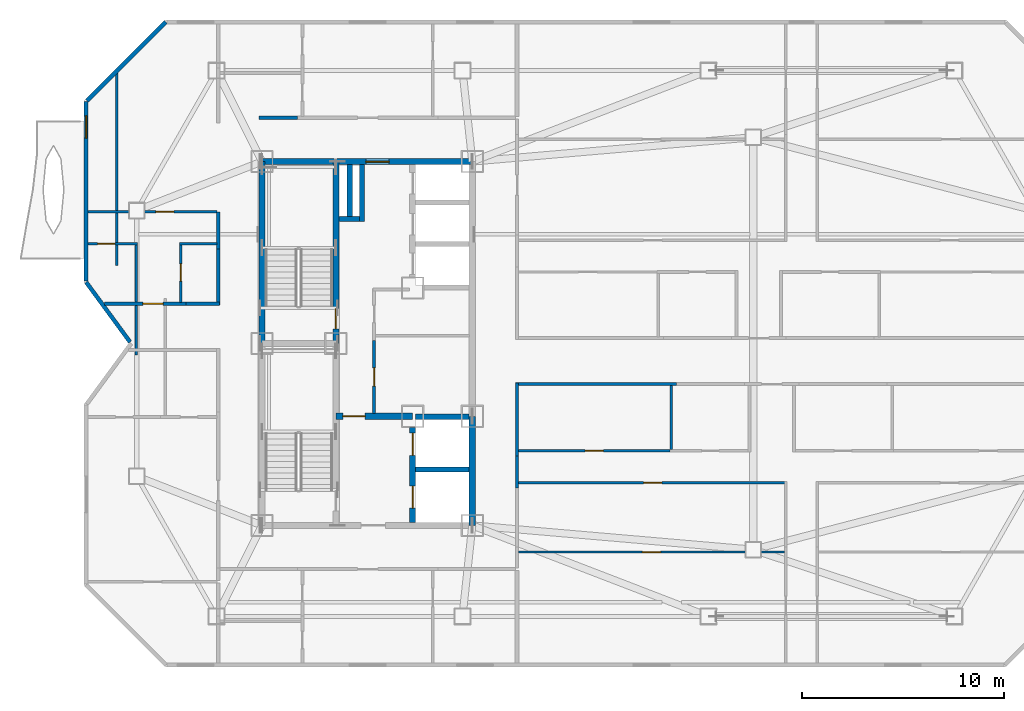
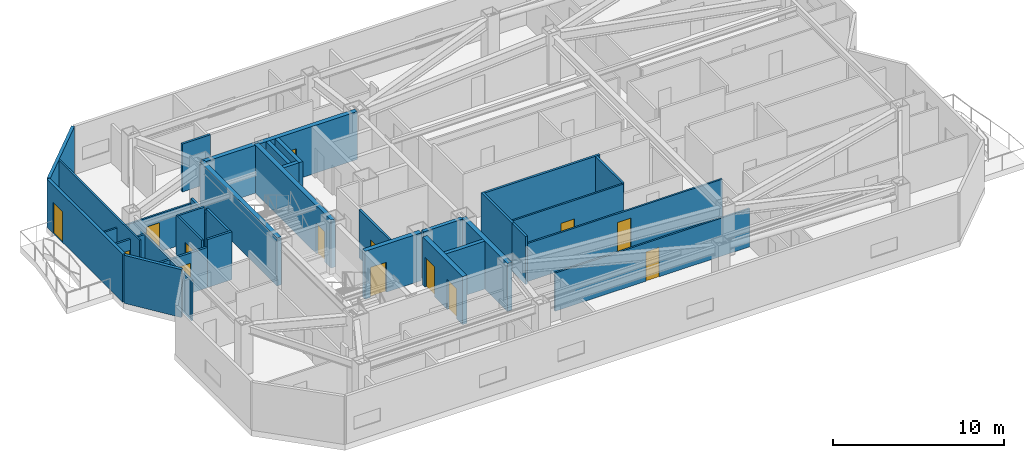
# One storey, part 5 of 10: 33 walls, 14 doors, 14 openings.
"""IFC4 building model written with IfcOpenShell, lengths in metres."""

import ifcopenshell
import ifcopenshell.guid

model = None  # the IFC model being written
_history = None  # IfcOwnerHistory: only IFC2X3 demands one
_inside = {}  # id of a spatial element -> (the spatial element, [elements in it])
_under = {}  # id of a project, library or spatial element -> (it, [spatial elements below it])
_declared = {}  # id of a project -> (the project, [libraries it declares])
_typed = {}  # id of a type object -> (the type object, [elements of that type])
_made_of = {}  # id of a material, layer set ... -> (it, [elements and type objects made of it])


def new_model(schema):
    """Start an empty IFC model of exactly this schema.

    Asked for "IFC4X3", IfcOpenShell would pick the latest addendum, in which some entities
    have other attributes; the version numbers below select the first issue.
    IFC2X3 requires an IfcOwnerHistory on every rooted entity: one is made here for all.
    """
    global model, _history
    if schema == "IFC4X3":
        model = ifcopenshell.file(schema_version=(4, 3, 0, 0))
    else:
        model = ifcopenshell.file(schema=schema)
    _inside.clear()
    _under.clear()
    _declared.clear()
    _typed.clear()
    _made_of.clear()
    _history = None
    if model.schema == "IFC2X3":
        org = make("IfcOrganization", Name="unknown")
        user = make(
            "IfcPersonAndOrganization",
            ThePerson=make("IfcPerson", FamilyName="unknown"),
            TheOrganization=org,
        )
        app = make(
            "IfcApplication",
            ApplicationDeveloper=org,
            Version="unknown",
            ApplicationFullName="unknown",
            ApplicationIdentifier="unknown",
        )
        _history = make(
            "IfcOwnerHistory",
            OwningUser=user,
            OwningApplication=app,
            ChangeAction="ADDED",
            CreationDate=0,
        )
    return model


def make(cls, **values):
    """One entity of the class cls with the attributes given. An attribute that is None is left unset."""
    return model.create_entity(
        cls, **{name: value for name, value in values.items() if value is not None}
    )


def rooted(cls, **values):
    """An entity with a GlobalId (a new one), such as an element, a storey or a relation."""
    return make(cls, GlobalId=ifcopenshell.guid.new(), OwnerHistory=_history, **values)


def si_unit(unit_type, name, prefix=None):
    """IfcSIUnit, for example si_unit("LENGTHUNIT", "METRE", prefix="MILLI")."""
    return make("IfcSIUnit", UnitType=unit_type, Prefix=prefix, Name=name)


def assignment(units):
    """IfcUnitAssignment: the units of a project."""
    return None if units is None else make("IfcUnitAssignment", Units=units)


def point(xyz):
    """IfcCartesianPoint."""
    return None if xyz is None else make("IfcCartesianPoint", Coordinates=xyz)


def direction(xyz):
    """IfcDirection."""
    return None if xyz is None else make("IfcDirection", DirectionRatios=xyz)


def frame(location, z_axis=None, x_axis=None):
    """IfcAxis2Placement3D, a coordinate frame: its origin and axes. An axis left out is left unset."""
    return make(
        "IfcAxis2Placement3D",
        Location=point(location),
        Axis=direction(z_axis),
        RefDirection=direction(x_axis),
    )


def frame_2d(location, x_axis=None):
    """IfcAxis2Placement2D, a coordinate frame in the plane: its origin and x axis."""
    return make(
        "IfcAxis2Placement2D", Location=point(location), RefDirection=direction(x_axis)
    )


def origin():
    """The frame at (0, 0, 0) with its axes left unset."""
    return frame((0.0, 0.0, 0.0))


def place(relative_to, where):
    """IfcLocalPlacement: puts the frame where relative to a parent placement (None: the world)."""
    return make(
        "IfcLocalPlacement", PlacementRelTo=relative_to, RelativePlacement=where
    )


def context(
    kind, dimensions, precision=None, world=None, true_north=None, identifier=None
):
    """IfcGeometricRepresentationContext, for example the 3D "Model" context."""
    return make(
        "IfcGeometricRepresentationContext",
        ContextIdentifier=identifier,
        ContextType=kind,
        CoordinateSpaceDimension=dimensions,
        Precision=precision,
        WorldCoordinateSystem=world,
        TrueNorth=true_north,
    )


def subcontext(parent, identifier, kind, view, scale=None):
    """IfcGeometricRepresentationSubContext, for example "Body" below "Model"."""
    return make(
        "IfcGeometricRepresentationSubContext",
        ContextIdentifier=identifier,
        ContextType=kind,
        ParentContext=parent,
        TargetScale=scale,
        TargetView=view,
    )


def project(units=None, contexts=None):
    """IfcProject with its units and contexts."""
    return rooted(
        "IfcProject",
        Name="project",
        RepresentationContexts=contexts,
        UnitsInContext=assignment(units),
    )


def spatial(cls, under=None, at=None, **own):
    """A site, building, storey or space (cls), placed at a placement, below another one or the project."""
    s = rooted(cls, ObjectPlacement=at, **own)
    if under is not None:
        _under.setdefault(under.id(), (under, []))[1].append(s)
    return s


def profile(cls, at=None, kind="AREA", **sizes):
    """A parametric profile (cls). Its sizes go by their IFC names, for example OverallWidth=200.0."""
    return make(cls, ProfileType=kind, Position=at, **sizes)


def rectangle(**sizes):
    """IfcRectangleProfileDef."""
    return profile("IfcRectangleProfileDef", **sizes)


def extrude(swept, where, along, depth):
    """IfcExtrudedAreaSolid: the profile swept, set in the frame where, extruded along a direction by depth."""
    return make(
        "IfcExtrudedAreaSolid",
        SweptArea=swept,
        Position=where,
        ExtrudedDirection=direction(along),
        Depth=depth,
    )


def shape(context_of_items, identifier, shape_type, items):
    """IfcShapeRepresentation: the items that make up one representation, for example the "Body"."""
    return make(
        "IfcShapeRepresentation",
        ContextOfItems=context_of_items,
        RepresentationIdentifier=identifier,
        RepresentationType=shape_type,
        Items=items,
    )


def material(Name=None, Category=None):
    """IfcMaterial."""
    return make("IfcMaterial", Name=Name, Category=Category)


def layer(
    of_material, thickness, ventilated=None, Name=None, Category=None, Priority=None
):
    """IfcMaterialLayer: one layer of a wall or slab, of a material (None: an air gap)."""
    return make(
        "IfcMaterialLayer",
        Material=of_material,
        LayerThickness=thickness,
        IsVentilated=ventilated,
        Name=Name,
        Category=Category,
        Priority=Priority,
    )


def layer_set(layers, Name=None):
    """IfcMaterialLayerSet."""
    return make("IfcMaterialLayerSet", MaterialLayers=layers, LayerSetName=Name)


def made_of(thing, what):
    """Note that an element or type object is made of a material, layer set ...; save() writes the relation."""
    if what is not None:
        _made_of.setdefault(what.id(), (what, []))[1].append(thing)
    return thing


def type_object(cls, material=None, **own):
    """A type object (cls), such as IfcWallType, which elements share."""
    return made_of(rooted(cls, **own), material)


def element(
    cls,
    number,
    at=None,
    inside=None,
    cuts=None,
    type_object=None,
    material=None,
    context=None,
    identifier="Body",
    shape_type=None,
    held_by="IfcProductDefinitionShape",
    body=None,
    shapes=None,
    **own,
):
    """One element of the class cls, such as IfcWall. Its Tag is "e" and its number.

    at: its placement. inside: the storey or other place that contains it. cuts: it is an
    opening in that element (IfcRelVoidsElement). A single representation is given by context,
    identifier, shape_type and body (its items); several are given by shapes. held_by: the class
    of the entity that holds the representations. save() writes the other relations.
    """
    e = rooted(cls, Tag="e%d" % number, ObjectPlacement=at, **own)
    if body is not None:
        shapes = [shape(context, identifier, shape_type, body)]
    if shapes is not None:
        e.Representation = make(held_by, Representations=shapes)
    if inside is not None:
        _inside.setdefault(inside.id(), (inside, []))[1].append(e)
    if cuts is not None:
        rooted(
            "IfcRelVoidsElement", RelatingBuildingElement=cuts, RelatedOpeningElement=e
        )
    if type_object is not None:
        _typed.setdefault(type_object.id(), (type_object, []))[1].append(e)
    return made_of(e, material)


def fill(opening, filler):
    """IfcRelFillsElement: the door or window that sits in an opening."""
    return rooted(
        "IfcRelFillsElement",
        RelatingOpeningElement=opening,
        RelatedBuildingElement=filler,
    )


def aggregate(whole, parts):
    """IfcRelAggregates: a whole, such as a stair, and the parts it consists of."""
    return rooted("IfcRelAggregates", RelatingObject=whole, RelatedObjects=parts)


def save(model, path):
    """Write the relations noted so far, then the file.

    IfcRelAggregates (storeys below a building ...), IfcRelContainedInSpatialStructure (elements
    in a storey), IfcRelDefinesByType, IfcRelAssociatesMaterial and IfcRelDeclares: one each for
    every whole, place, type object, material and project.
    """
    for whole, parts in _under.values():
        aggregate(whole, parts)
    for where, things in _inside.values():
        rooted(
            "IfcRelContainedInSpatialStructure",
            RelatedElements=things,
            RelatingStructure=where,
        )
    for kind, things in _typed.values():
        rooted("IfcRelDefinesByType", RelatedObjects=things, RelatingType=kind)
    for what, things in _made_of.values():
        rooted("IfcRelAssociatesMaterial", RelatedObjects=things, RelatingMaterial=what)
    for by, libraries in _declared.values():
        rooted("IfcRelDeclares", RelatingContext=by, RelatedDefinitions=libraries)
    model.write(path)


model = new_model("IFC4")

# Units and contexts
model_context = context("Model", 3, precision=1e-05, world=origin(), true_north=direction((0.0, 1.0)))
body_context = subcontext(model_context, "Body", "Model", "MODEL_VIEW")
ifc_project = project(units=[si_unit("LENGTHUNIT", "METRE"), si_unit("AREAUNIT", "SQUARE_METRE"), si_unit("VOLUMEUNIT", "CUBIC_METRE"), si_unit("PLANEANGLEUNIT", "RADIAN"), si_unit("MASSUNIT", "GRAM", prefix="KILO")], contexts=[model_context])

# Site, building, storey
site_placement = place(None, origin())
site = spatial("IfcSite", under=ifc_project, at=site_placement, CompositionType="ELEMENT")
building_placement = place(site_placement, origin())
building = spatial("IfcBuilding", under=site, at=building_placement, Name="Khamvora Tower", CompositionType="ELEMENT")
storey_placement = place(building_placement, frame((0.0, 0.0, 217.199951171875)))
storey = spatial("IfcBuildingStorey", under=building, at=storey_placement, Name="L55", CompositionType="ELEMENT", Elevation=217.199951171875)

# Wall
ifc_material_1 = material(Name="Concrete C50/60", Category="concrete")
ifc_layer_1 = layer(ifc_material_1, 0.300048828125)
ifc_layer_set_1 = layer_set([ifc_layer_1], Name="Concrete C50/60")
wall_type_1 = type_object("IfcWallType", Name="WAL-CORE-300", PredefinedType="SHEAR", material=ifc_layer_set_1)
wall_1_placement = place(storey_placement, frame((29.0, 28.0, 0.0), z_axis=(0.0, 0.0, 1.0), x_axis=(0.0, 1.0, 0.0)))
element("IfcWall", 1, at=wall_1_placement, inside=storey, type_object=wall_type_1, Name="L55 central core west north wall", PredefinedType="SHEAR", context=body_context, shape_type="SweptSolid", body=[
    extrude(rectangle(XDim=9.0, YDim=0.300048828125, at=frame_2d((4.5, 0.0))), origin(), (0.0, 0.0, 1.0), 3.429931640625),
])

# Wall, opening, door
wall_2_placement = place(storey_placement, frame((29.0, 37.0, 0.0), z_axis=(0.0, 0.0, 1.0), x_axis=(1.0, 0.0, 0.0)))
wall_2 = element("IfcWall", 2, at=wall_2_placement, inside=storey, type_object=wall_type_1, Name="L55 central core north wall", PredefinedType="SHEAR", context=body_context, shape_type="SweptSolid", body=[
    extrude(rectangle(XDim=10.39990234375, YDim=0.300048828125, at=frame_2d((5.199951171875, 0.0))), origin(), (0.0, 0.0, 1.0), 3.429931640625),
])
opening_1_placement = place(wall_2_placement, frame((5.139892578125, 0.0, 0.0)))
opening_1 = element("IfcOpeningElement", 3, at=opening_1_placement, cuts=wall_2, Name="Opening D-SC1", PredefinedType="OPENING", context=body_context, shape_type="SweptSolid", body=[
    extrude(rectangle(XDim=1.14990234375, YDim=2.199951171875, at=frame_2d((0.574951171875, 1.10009765625))), frame((0.0, 0.159912109375, 0.0), z_axis=(0.0, -1.0, 0.0), x_axis=(1.0, 0.0, 0.0)), (0.0, 0.0, 1.0), 0.320068359375),
])
ifc_material_2 = material(Name="Powder-Coated Steel and Hardwood Leaf", Category="steel")
door_type_1 = type_object("IfcDoorType", Name="DOR-SCHL-1150", OperationType="NOTDEFINED", PredefinedType="DOOR", material=ifc_material_2)
door_1_placement = place(opening_1_placement, origin())
door_1 = element("IfcDoor", 4, at=door_1_placement, inside=storey, type_object=door_type_1, Name="L55 north core lobby to corridor fire door", OperationType="SINGLE_SWING_RIGHT", OverallHeight=2.199951171875, OverallWidth=1.14990234375, PredefinedType="DOOR", context=body_context, shape_type="SweptSolid", body=[
    extrude(rectangle(XDim=1.14990234375, YDim=2.199951171875, at=frame_2d((0.574951171875, 1.10009765625))), frame((0.0, 0.02490234375, 0.0), z_axis=(0.0, -1.0, 0.0), x_axis=(1.0, 0.0, 0.0)), (0.0, 0.0, 1.0), 0.050048828125),
])
fill(opening_1, door_1)

# Wall
wall_3_placement = place(storey_placement, frame((39.39990234375, 19.0, 0.0), z_axis=(0.0, 0.0, 1.0), x_axis=(0.0, 1.0, 0.0)))
element("IfcWall", 5, at=wall_3_placement, inside=storey, type_object=wall_type_1, Name="L55 central core east south wall", PredefinedType="SHEAR", context=body_context, shape_type="SweptSolid", body=[
    extrude(rectangle(XDim=5.39990234375, YDim=0.300048828125, at=frame_2d((2.699951171875, 0.0))), origin(), (0.0, 0.0, 1.0), 3.429931640625),
])

# Wall, opening, door
wall_4_placement = place(storey_placement, frame((32.64990234375, 28.0, 0.0), z_axis=(0.0, 0.0, 1.0), x_axis=(0.0, 1.0, 0.0)))
wall_4 = element("IfcWall", 6, at=wall_4_placement, inside=storey, type_object=wall_type_1, Name="L55 central core stair north spine wall", PredefinedType="SHEAR", context=body_context, shape_type="SweptSolid", body=[
    extrude(rectangle(XDim=9.0, YDim=0.300048828125, at=frame_2d((4.5, 0.0))), origin(), (0.0, 0.0, 1.0), 3.429931640625),
])
opening_2_placement = place(wall_4_placement, frame((0.719970703125, 0.0, 0.0)))
opening_2 = element("IfcOpeningElement", 7, at=opening_2_placement, cuts=wall_4, Name="Opening D-ST1", PredefinedType="OPENING", context=body_context, shape_type="SweptSolid", body=[
    extrude(rectangle(XDim=1.0, YDim=2.14990234375, at=frame_2d((0.5, 1.074951171875))), frame((0.0, 0.159912109375, 0.0), z_axis=(0.0, -1.0, 0.0), x_axis=(1.0, 0.0, 0.0)), (0.0, 0.0, 1.0), 0.320068359375),
])
door_type_2 = type_object("IfcDoorType", Name="DOR-STAIR-1000", OperationType="NOTDEFINED", PredefinedType="DOOR", material=ifc_material_2)
door_2_placement = place(opening_2_placement, origin())
door_2 = element("IfcDoor", 8, at=door_2_placement, inside=storey, type_object=door_type_2, Name="L55 exit stair ST-02 fire door", OperationType="SINGLE_SWING_RIGHT", OverallHeight=2.14990234375, OverallWidth=1.0, PredefinedType="DOOR", context=body_context, shape_type="SweptSolid", body=[
    extrude(rectangle(XDim=1.0, YDim=2.14990234375, at=frame_2d((0.5, 1.074951171875))), frame((0.0, 0.02490234375, 0.0), z_axis=(0.0, -1.0, 0.0), x_axis=(1.0, 0.0, 0.0)), (0.0, 0.0, 1.0), 0.050048828125),
])
fill(opening_2, door_2)

wall_5_placement = place(storey_placement, frame((32.64990234375, 24.39990234375, 0.0), z_axis=(0.0, 0.0, 1.0), x_axis=(1.0, 0.0, 0.0)))
wall_5 = element("IfcWall", 9, at=wall_5_placement, inside=storey, type_object=wall_type_1, Name="L55 central core firefighting lobby north wall", PredefinedType="SHEAR", context=body_context, shape_type="SweptSolid", body=[
    extrude(rectangle(XDim=3.800048828125, YDim=0.300048828125, at=frame_2d((1.89990234375, 0.0))), origin(), (0.0, 0.0, 1.0), 3.429931640625),
])
opening_3_placement = place(wall_5_placement, frame((0.35009765625, 0.0, 0.0)))
opening_3 = element("IfcOpeningElement", 10, at=opening_3_placement, cuts=wall_5, Name="Opening D-FF1", PredefinedType="OPENING", context=body_context, shape_type="SweptSolid", body=[
    extrude(rectangle(XDim=1.10009765625, YDim=2.14990234375, at=frame_2d((0.550048828125, 1.074951171875))), frame((0.0, 0.159912109375, 0.0), z_axis=(0.0, -1.0, 0.0), x_axis=(1.0, 0.0, 0.0)), (0.0, 0.0, 1.0), 0.320068359375),
])
door_type_3 = type_object("IfcDoorType", Name="DOR-FFLOB-1100", OperationType="NOTDEFINED", PredefinedType="DOOR", material=ifc_material_2)
door_3_placement = place(opening_3_placement, origin())
door_3 = element("IfcDoor", 11, at=door_3_placement, inside=storey, type_object=door_type_3, Name="L55 firefighting lobby smoke-seal fire door", OperationType="SINGLE_SWING_RIGHT", OverallHeight=2.14990234375, OverallWidth=1.10009765625, PredefinedType="DOOR", context=body_context, shape_type="SweptSolid", body=[
    extrude(rectangle(XDim=1.10009765625, YDim=2.14990234375, at=frame_2d((0.550048828125, 1.074951171875))), frame((0.0, 0.02490234375, 0.0), z_axis=(0.0, -1.0, 0.0), x_axis=(1.0, 0.0, 0.0)), (0.0, 0.0, 1.0), 0.050048828125),
])
fill(opening_3, door_3)

# Wall, openings, doors
wall_6_placement = place(storey_placement, frame((36.449951171875, 19.154052734375, 0.0), z_axis=(0.0, 0.0, 1.0), x_axis=(0.0, 1.0, 0.0)))
wall_6 = element("IfcWall", 12, at=wall_6_placement, inside=storey, type_object=wall_type_1, Name="L55 central core lift bank south wall", PredefinedType="SHEAR", context=body_context, shape_type="SweptSolid", body=[
    extrude(rectangle(XDim=4.696044921875, YDim=0.300048828125, at=frame_2d((2.34814453125, 0.0))), origin(), (0.0, 0.0, 1.0), 3.429931640625),
])
opening_4_placement = place(wall_6_placement, frame((0.696044921875, 0.0, 0.0)))
opening_4 = element("IfcOpeningElement", 13, at=opening_4_placement, cuts=wall_6, Name="Opening LD-FFL", PredefinedType="OPENING", context=body_context, shape_type="SweptSolid", body=[
    extrude(rectangle(XDim=1.10009765625, YDim=2.14990234375, at=frame_2d((0.550048828125, 1.074951171875))), frame((0.0, 0.159912109375, 0.0), z_axis=(0.0, -1.0, 0.0), x_axis=(1.0, 0.0, 0.0)), (0.0, 0.0, 1.0), 0.320068359375),
])
opening_5_placement = place(wall_6_placement, frame((3.31591796875, 0.0, 0.0)))
opening_5 = element("IfcOpeningElement", 14, at=opening_5_placement, cuts=wall_6, Name="Opening LD-FFL", PredefinedType="OPENING", context=body_context, shape_type="SweptSolid", body=[
    extrude(rectangle(XDim=1.10009765625, YDim=2.14990234375, at=frame_2d((0.550048828125, 1.074951171875))), frame((0.0, 0.159912109375, 0.0), z_axis=(0.0, -1.0, 0.0), x_axis=(1.0, 0.0, 0.0)), (0.0, 0.0, 1.0), 0.320068359375),
])
door_type_4 = type_object("IfcDoorType", Name="DOR-LIFT-1100", OperationType="SLIDING_TO_LEFT", PredefinedType="DOOR", material=ifc_material_2)
door_4_placement = place(opening_4_placement, origin())
door_4 = element("IfcDoor", 15, at=door_4_placement, inside=storey, type_object=door_type_4, Name="L55 lift landing sliding door FFL-01", OperationType="SLIDING_TO_LEFT", OverallHeight=2.14990234375, OverallWidth=1.10009765625, PredefinedType="DOOR", context=body_context, shape_type="SweptSolid", body=[
    extrude(rectangle(XDim=1.10009765625, YDim=2.14990234375, at=frame_2d((0.550048828125, 1.074951171875))), frame((0.0, 0.02490234375, 0.0), z_axis=(0.0, -1.0, 0.0), x_axis=(1.0, 0.0, 0.0)), (0.0, 0.0, 1.0), 0.050048828125),
])
fill(opening_4, door_4)
door_5_placement = place(opening_5_placement, origin())
door_5 = element("IfcDoor", 16, at=door_5_placement, inside=storey, type_object=door_type_4, Name="L55 lift landing sliding door FFL-02", OperationType="SLIDING_TO_LEFT", OverallHeight=2.14990234375, OverallWidth=1.10009765625, PredefinedType="DOOR", context=body_context, shape_type="SweptSolid", body=[
    extrude(rectangle(XDim=1.10009765625, YDim=2.14990234375, at=frame_2d((0.550048828125, 1.074951171875))), frame((0.0, 0.02490234375, 0.0), z_axis=(0.0, -1.0, 0.0), x_axis=(1.0, 0.0, 0.0)), (0.0, 0.0, 1.0), 0.050048828125),
])
fill(opening_5, door_5)

# Wall, opening, door
ifc_material_3 = material(Name="Fire-Rated Drywall and Steel Stud", Category="steel")
ifc_layer_2 = layer(ifc_material_3, 0.14990234375)
ifc_layer_set_2 = layer_set([ifc_layer_2], Name="Fire-Rated Drywall and Steel Stud")
wall_type_2 = type_object("IfcWallType", Name="WAL-CORR-150", PredefinedType="STANDARD", material=ifc_layer_set_2)
wall_7_placement = place(storey_placement, frame((34.544921875, 28.135986328125, 0.0), z_axis=(0.0, 0.0, 1.0), x_axis=(0.0, -1.0, 0.0)))
wall_7 = element("IfcWall", 17, at=wall_7_placement, inside=storey, type_object=wall_type_2, Name="L55 interior partition wall 003", PredefinedType="STANDARD", context=body_context, shape_type="SweptSolid", body=[
    extrude(rectangle(XDim=3.592041015625, YDim=0.14990234375, at=frame_2d((1.7958984375, 0.0))), origin(), (0.0, 0.0, 1.0), 3.429931640625),
])
opening_6_placement = place(wall_7_placement, frame((1.345947265625, 0.0, 0.0)))
opening_6 = element("IfcOpeningElement", 18, at=opening_6_placement, cuts=wall_7, Name="Opening D-RM1", PredefinedType="OPENING", context=body_context, shape_type="SweptSolid", body=[
    extrude(rectangle(XDim=0.89990234375, YDim=2.10009765625, at=frame_2d((0.449951171875, 1.050048828125))), frame((0.0, 0.0849609375, 0.0), z_axis=(0.0, -1.0, 0.0), x_axis=(1.0, 0.0, 0.0)), (0.0, 0.0, 1.0), 0.169921875),
])
door_type_5 = type_object("IfcDoorType", Name="DOR-ROOM-900", OperationType="NOTDEFINED", PredefinedType="DOOR", material=ifc_material_2)
door_6_placement = place(opening_6_placement, origin())
door_6 = element("IfcDoor", 19, at=door_6_placement, inside=storey, type_object=door_type_5, Name="L55 interior door PHL-CS2", OperationType="SINGLE_SWING_RIGHT", OverallHeight=2.10009765625, OverallWidth=0.89990234375, PredefinedType="DOOR", context=body_context, shape_type="SweptSolid", body=[
    extrude(rectangle(XDim=0.89990234375, YDim=2.10009765625, at=frame_2d((0.449951171875, 1.050048828125))), frame((0.0, 0.02490234375, 0.0), z_axis=(0.0, -1.0, 0.0), x_axis=(1.0, 0.0, 0.0)), (0.0, 0.0, 1.0), 0.050048828125),
])
fill(opening_6, door_6)

wall_8_placement = place(storey_placement, frame((21.197021484375, 29.965087890625, 0.0), z_axis=(0.0, 0.0, 1.0), x_axis=(1.0, 0.0, 0.0)))
wall_8 = element("IfcWall", 20, at=wall_8_placement, inside=storey, type_object=wall_type_2, Name="L55 interior partition wall 008", PredefinedType="STANDARD", context=body_context, shape_type="SweptSolid", body=[
    extrude(rectangle(XDim=4.0380859375, YDim=0.14990234375, at=frame_2d((2.01904296875, 0.0))), origin(), (0.0, 0.0, 1.0), 2.886962890625),
])
opening_7_placement = place(wall_8_placement, frame((1.910888671875, 0.0, 0.0)))
opening_7 = element("IfcOpeningElement", 21, at=opening_7_placement, cuts=wall_8, Name="Opening D-U1", PredefinedType="OPENING", context=body_context, shape_type="SweptSolid", body=[
    extrude(rectangle(XDim=1.0, YDim=2.14990234375, at=frame_2d((0.5, 1.074951171875))), frame((0.0, 0.0849609375, 0.0), z_axis=(0.0, -1.0, 0.0), x_axis=(1.0, 0.0, 0.0)), (0.0, 0.0, 1.0), 0.169921875),
])
door_type_6 = type_object("IfcDoorType", Name="DOR-UNIT-1000", OperationType="NOTDEFINED", PredefinedType="DOOR", material=ifc_material_2)
door_7_placement = place(opening_7_placement, origin())
door_7 = element("IfcDoor", 22, at=door_7_placement, inside=storey, type_object=door_type_6, Name="L55 interior door COR-55WBH", OperationType="SINGLE_SWING_LEFT", OverallHeight=2.14990234375, OverallWidth=1.0, PredefinedType="DOOR", context=body_context, shape_type="SweptSolid", body=[
    extrude(rectangle(XDim=1.0, YDim=2.14990234375, at=frame_2d((0.5, 1.074951171875))), frame((0.0, 0.02490234375, 0.0), z_axis=(0.0, -1.0, 0.0), x_axis=(1.0, 0.0, 0.0)), (0.0, 0.0, 1.0), 0.050048828125),
])
fill(opening_7, door_7)

# Walls
wall_9_placement = place(storey_placement, frame((26.8349609375, 32.680908203125, 0.0), z_axis=(0.0, 0.0, 1.0), x_axis=(0.0, 1.0, 0.0)))
element("IfcWall", 23, at=wall_9_placement, inside=storey, type_object=wall_type_2, Name="L55 interior partition wall 009", PredefinedType="STANDARD", context=body_context, shape_type="SweptSolid", body=[
    extrude(rectangle(XDim=1.819091796875, YDim=0.14990234375, at=frame_2d((0.90966796875, 0.0))), origin(), (0.0, 0.0, 1.0), 3.06494140625),
])
wall_10_placement = place(storey_placement, frame((25.235107421875, 29.965087890625, 0.0), z_axis=(0.0, 0.0, 1.0), x_axis=(1.0, 0.0, 0.0)))
element("IfcWall", 24, at=wall_10_placement, inside=storey, type_object=wall_type_2, Name="L55 interior partition wall 010", PredefinedType="STANDARD", context=body_context, shape_type="SweptSolid", body=[
    extrude(rectangle(XDim=1.664794921875, YDim=0.14990234375, at=frame_2d((0.83251953125, 0.0))), origin(), (0.0, 0.0, 1.0), 3.429931640625),
])
wall_11_placement = place(storey_placement, frame((26.8349609375, 29.89990234375, 0.0), z_axis=(0.0, 0.0, 1.0), x_axis=(0.0, 1.0, 0.0)))
element("IfcWall", 25, at=wall_11_placement, inside=storey, type_object=wall_type_2, Name="L55 interior partition wall 011", PredefinedType="STANDARD", context=body_context, shape_type="SweptSolid", body=[
    extrude(rectangle(XDim=2.781005859375, YDim=0.14990234375, at=frame_2d((1.390625, 0.0))), origin(), (0.0, 0.0, 1.0), 3.429931640625),
])
wall_12_placement = place(storey_placement, frame((28.85009765625, 39.1650390625, 0.0), z_axis=(0.0, 0.0, 1.0), x_axis=(1.0, 0.0, 0.0)))
element("IfcWall", 26, at=wall_12_placement, inside=storey, type_object=wall_type_2, Name="L55 interior partition wall 016", PredefinedType="STANDARD", context=body_context, shape_type="SweptSolid", body=[
    extrude(rectangle(XDim=1.90087890625, YDim=0.14990234375, at=frame_2d((0.950439453125, 0.0))), origin(), (0.0, 0.0, 1.0), 3.429931640625),
])
wall_13_placement = place(storey_placement, frame((49.491943359375, 25.985107421875, 0.0), z_axis=(0.0, 0.0, 1.0), x_axis=(-1.0, 0.0, 0.0)))
element("IfcWall", 27, at=wall_13_placement, inside=storey, type_object=wall_type_2, Name="L55 interior partition wall 018", PredefinedType="STANDARD", context=body_context, shape_type="SweptSolid", body=[
    extrude(rectangle(XDim=7.94189453125, YDim=0.14990234375, at=frame_2d((3.970947265625, 0.0))), origin(), (0.0, 0.0, 1.0), 3.429931640625),
])
wall_14_placement = place(storey_placement, frame((41.614990234375, 26.050048828125, 0.0), z_axis=(0.0, 0.0, 1.0), x_axis=(0.0, -1.0, 0.0)))
element("IfcWall", 28, at=wall_14_placement, inside=storey, type_object=wall_type_2, Name="L55 interior partition wall 019", PredefinedType="STANDARD", context=body_context, shape_type="SweptSolid", body=[
    extrude(rectangle(XDim=3.610107421875, YDim=0.14990234375, at=frame_2d((1.80517578125, 0.0))), origin(), (0.0, 0.0, 1.0), 3.429931640625),
])
wall_15_placement = place(storey_placement, frame((41.614990234375, 22.43994140625, 0.0), z_axis=(0.0, 0.0, 1.0), x_axis=(0.0, -1.0, 0.0)))
element("IfcWall", 29, at=wall_15_placement, inside=storey, type_object=wall_type_2, Name="L55 interior partition wall 022", PredefinedType="STANDARD", context=body_context, shape_type="SweptSolid", body=[
    extrude(rectangle(XDim=1.579833984375, YDim=0.14990234375, at=frame_2d((0.7900390625, 0.0))), origin(), (0.0, 0.0, 1.0), 3.429931640625),
])
ifc_material_4 = material(Name="Precast concrete C40/50", Category="concrete")
ifc_layer_3 = layer(ifc_material_4, 0.199951171875)
ifc_layer_set_3 = layer_set([ifc_layer_3], Name="Precast concrete C40/50")
wall_type_3 = type_object("IfcWallType", Name="WAL-EXT-200", PredefinedType="STANDARD", material=ifc_layer_set_3)
wall_16_placement = place(storey_placement, frame((22.472900390625, 28.069091796875, 0.0), z_axis=(0.0, 0.0, 1.0), x_axis=(-0.591248456881, 0.80648946815, 0.0)))
element("IfcWall", 30, at=wall_16_placement, inside=storey, type_object=wall_type_3, Name="L55 exterior facade wall 04.1", PredefinedType="STANDARD", context=body_context, shape_type="SweptSolid", body=[
    extrude(rectangle(XDim=3.675048828125, YDim=0.199951171875, at=frame_2d((1.83740234375, 0.0))), origin(), (0.0, 0.0, 1.0), 3.429931640625),
])

# Wall, opening, door
wall_17_placement = place(storey_placement, frame((20.300048828125, 31.083984375, 0.0), z_axis=(0.0, 0.0, 1.0), x_axis=(0.0, 1.0, 0.0)))
wall_17 = element("IfcWall", 31, at=wall_17_placement, inside=storey, type_object=wall_type_3, Name="L55 exterior facade wall 05.1", PredefinedType="STANDARD", context=body_context, shape_type="SweptSolid", body=[
    extrude(rectangle(XDim=8.875, YDim=0.199951171875, at=frame_2d((4.4375, 0.0))), origin(), (0.0, 0.0, 1.0), 3.429931640625),
])
opening_8_placement = place(wall_17_placement, frame((7.076904296875, 0.0, 0.0)))
opening_8 = element("IfcOpeningElement", 32, at=opening_8_placement, cuts=wall_17, Name="Opening BD-01", PredefinedType="OPENING", context=body_context, shape_type="SweptSolid", body=[
    extrude(rectangle(XDim=1.10009765625, YDim=2.199951171875, at=frame_2d((0.550048828125, 1.10009765625))), frame((0.0, 0.10986328125, 0.0), z_axis=(0.0, -1.0, 0.0), x_axis=(1.0, 0.0, 0.0)), (0.0, 0.0, 1.0), 0.219970703125),
])
ifc_material_5 = material(Name="Anodised Aluminium and Laminated Safety Glass", Category="aluminium")
door_type_7 = type_object("IfcDoorType", Name="DOR-BAL-1100", OperationType="NOTDEFINED", PredefinedType="DOOR", material=ifc_material_5)
door_8_placement = place(opening_8_placement, origin())
door_8 = element("IfcDoor", 33, at=door_8_placement, inside=storey, type_object=door_type_7, Name="L55 lens gallery balcony door WL2", OperationType="SLIDING_TO_LEFT", OverallHeight=2.199951171875, OverallWidth=1.10009765625, PredefinedType="DOOR", context=body_context, shape_type="SweptSolid", body=[
    extrude(rectangle(XDim=1.10009765625, YDim=2.199951171875, at=frame_2d((0.550048828125, 1.10009765625))), frame((0.0, 0.02490234375, 0.0), z_axis=(0.0, -1.0, 0.0), x_axis=(1.0, 0.0, 0.0)), (0.0, 0.0, 1.0), 0.050048828125),
])
fill(opening_8, door_8)

# Walls
wall_18_placement = place(storey_placement, frame((20.343994140625, 40.0029296875, 0.0), z_axis=(0.0, 0.0, 1.0), x_axis=(0.707106781187, 0.707106781187, 0.0)))
element("IfcWall", 34, at=wall_18_placement, inside=storey, type_object=wall_type_3, Name="L55 exterior facade wall 06.1", PredefinedType="STANDARD", context=body_context, shape_type="SweptSolid", body=[
    extrude(rectangle(XDim=5.51123046875, YDim=0.199951171875, at=frame_2d((2.755615234375, 0.0))), origin(), (0.0, 0.0, 1.0), 3.429931640625),
])
ifc_material_6 = material(Name="Gypsum Plasterboard Partition", Category="gypsum")
ifc_layer_4 = layer(ifc_material_6, 0.1201171875)
ifc_layer_set_4 = layer_set([ifc_layer_4], Name="Gypsum Plasterboard Partition")
wall_type_4 = type_object("IfcWallType", Name="WAL-PART-120", PredefinedType="PARTITIONING", material=ifc_layer_set_4)
wall_19_placement = place(storey_placement, frame((21.824951171875, 41.368896484375, 0.0), z_axis=(0.0, 0.0, 1.0), x_axis=(0.0, -1.0, 0.0)))
element("IfcWall", 35, at=wall_19_placement, inside=storey, type_object=wall_type_4, Name="L55 interior partition wall 047", PredefinedType="PARTITIONING", context=body_context, shape_type="SweptSolid", body=[
    extrude(rectangle(XDim=9.52392578125, YDim=0.1201171875, at=frame_2d((4.761962890625, 0.0))), origin(), (0.0, 0.0, 1.0), 3.429931640625),
])

# Wall, opening, door
wall_20_placement = place(storey_placement, frame((20.39208984375, 34.510009765625, 0.0), z_axis=(0.0, 0.0, 1.0), x_axis=(1.0, 0.0, 0.0)))
wall_20 = element("IfcWall", 36, at=wall_20_placement, inside=storey, type_object=wall_type_4, Name="L55 interior partition wall 048", PredefinedType="PARTITIONING", context=body_context, shape_type="SweptSolid", body=[
    extrude(rectangle(XDim=6.3779296875, YDim=0.1201171875, at=frame_2d((3.18896484375, 0.0))), origin(), (0.0, 0.0, 1.0), 2.72509765625),
])
opening_9_placement = place(wall_20_placement, frame((3.35205078125, 0.0, 0.0)))
opening_9 = element("IfcOpeningElement", 37, at=opening_9_placement, cuts=wall_20, Name="Opening D-RM1", PredefinedType="OPENING", context=body_context, shape_type="SweptSolid", body=[
    extrude(rectangle(XDim=0.89990234375, YDim=2.10009765625, at=frame_2d((0.449951171875, 1.050048828125))), frame((0.0, 0.070068359375, 0.0), z_axis=(0.0, -1.0, 0.0), x_axis=(1.0, 0.0, 0.0)), (0.0, 0.0, 1.0), 0.14013671875),
])
door_9_placement = place(opening_9_placement, origin())
door_9 = element("IfcDoor", 38, at=door_9_placement, inside=storey, type_object=door_type_5, Name="L55 interior door 55WBH-55WBR1", OperationType="SINGLE_SWING_RIGHT", OverallHeight=2.10009765625, OverallWidth=0.89990234375, PredefinedType="DOOR", context=body_context, shape_type="SweptSolid", body=[
    extrude(rectangle(XDim=0.89990234375, YDim=2.10009765625, at=frame_2d((0.449951171875, 1.050048828125))), frame((0.0, 0.02490234375, 0.0), z_axis=(0.0, -1.0, 0.0), x_axis=(1.0, 0.0, 0.0)), (0.0, 0.0, 1.0), 0.050048828125),
])
fill(opening_9, door_9)

wall_21_placement = place(storey_placement, frame((49.177978515625, 22.68896484375, 0.0), z_axis=(0.0, 0.0, 1.0), x_axis=(-1.0, 0.0, 0.0)))
wall_21 = element("IfcWall", 39, at=wall_21_placement, inside=storey, type_object=wall_type_4, Name="L55 interior partition wall 061", PredefinedType="PARTITIONING", context=body_context, shape_type="SweptSolid", body=[
    extrude(rectangle(XDim=7.49609375, YDim=0.1201171875, at=frame_2d((3.748046875, 0.0))), origin(), (0.0, 0.0, 1.0), 3.429931640625),
])
opening_10_placement = place(wall_21_placement, frame((3.298095703125, 0.0, 0.0)))
opening_10 = element("IfcOpeningElement", 40, at=opening_10_placement, cuts=wall_21, Name="Opening D-RM1", PredefinedType="OPENING", context=body_context, shape_type="SweptSolid", body=[
    extrude(rectangle(XDim=0.89990234375, YDim=2.10009765625, at=frame_2d((0.449951171875, 1.050048828125))), frame((0.0, 0.070068359375, 0.0), z_axis=(0.0, -1.0, 0.0), x_axis=(1.0, 0.0, 0.0)), (0.0, 0.0, 1.0), 0.14013671875),
])
door_10_placement = place(opening_10_placement, origin())
door_10 = element("IfcDoor", 41, at=door_10_placement, inside=storey, type_object=door_type_5, Name="L55 interior door 55EAW1-55EAH", OperationType="SINGLE_SWING_LEFT", OverallHeight=2.10009765625, OverallWidth=0.89990234375, PredefinedType="DOOR", context=body_context, shape_type="SweptSolid", body=[
    extrude(rectangle(XDim=0.89990234375, YDim=2.10009765625, at=frame_2d((0.449951171875, 1.050048828125))), frame((0.0, 0.02490234375, 0.0), z_axis=(0.0, -1.0, 0.0), x_axis=(1.0, 0.0, 0.0)), (0.0, 0.0, 1.0), 0.050048828125),
])
fill(opening_10, door_10)

wall_22_placement = place(storey_placement, frame((54.965087890625, 21.10888671875, 0.0), z_axis=(0.0, 0.0, 1.0), x_axis=(-1.0, 0.0, 0.0)))
wall_22 = element("IfcWall", 42, at=wall_22_placement, inside=storey, type_object=wall_type_4, Name="L55 interior partition wall 071", PredefinedType="PARTITIONING", context=body_context, shape_type="SweptSolid", body=[
    extrude(rectangle(XDim=13.283203125, YDim=0.1201171875, at=frame_2d((6.6416015625, 0.0))), origin(), (0.0, 0.0, 1.0), 2.72509765625),
])
opening_11_placement = place(wall_22_placement, frame((6.19091796875, 0.0, 0.0)))
opening_11 = element("IfcOpeningElement", 43, at=opening_11_placement, cuts=wall_22, Name="Opening D-RM1", PredefinedType="OPENING", context=body_context, shape_type="SweptSolid", body=[
    extrude(rectangle(XDim=0.89990234375, YDim=2.10009765625, at=frame_2d((0.449951171875, 1.050048828125))), frame((0.0, 0.070068359375, 0.0), z_axis=(0.0, -1.0, 0.0), x_axis=(1.0, 0.0, 0.0)), (0.0, 0.0, 1.0), 0.14013671875),
])
door_11_placement = place(opening_11_placement, origin())
door_11 = element("IfcDoor", 44, at=door_11_placement, inside=storey, type_object=door_type_5, Name="L55 interior door 55EAH-55EAR2", OperationType="SINGLE_SWING_RIGHT", OverallHeight=2.10009765625, OverallWidth=0.89990234375, PredefinedType="DOOR", context=body_context, shape_type="SweptSolid", body=[
    extrude(rectangle(XDim=0.89990234375, YDim=2.10009765625, at=frame_2d((0.449951171875, 1.050048828125))), frame((0.0, 0.02490234375, 0.0), z_axis=(0.0, -1.0, 0.0), x_axis=(1.0, 0.0, 0.0)), (0.0, 0.0, 1.0), 0.050048828125),
])
fill(opening_11, door_11)

wall_23_placement = place(storey_placement, frame((41.681884765625, 17.68505859375, 0.0), z_axis=(0.0, 0.0, 1.0), x_axis=(1.0, 0.0, 0.0)))
wall_23 = element("IfcWall", 45, at=wall_23_placement, inside=storey, type_object=wall_type_4, Name="L55 interior partition wall 075", PredefinedType="PARTITIONING", context=body_context, shape_type="SweptSolid", body=[
    extrude(rectangle(XDim=13.1640625, YDim=0.1201171875, at=frame_2d((6.58203125, 0.0))), origin(), (0.0, 0.0, 1.0), 2.72509765625),
])
opening_12_placement = place(wall_23_placement, frame((6.132080078125, 0.0, 0.0)))
opening_12 = element("IfcOpeningElement", 46, at=opening_12_placement, cuts=wall_23, Name="Opening D-RM1", PredefinedType="OPENING", context=body_context, shape_type="SweptSolid", body=[
    extrude(rectangle(XDim=0.89990234375, YDim=2.10009765625, at=frame_2d((0.449951171875, 1.050048828125))), frame((0.0, 0.070068359375, 0.0), z_axis=(0.0, -1.0, 0.0), x_axis=(1.0, 0.0, 0.0)), (0.0, 0.0, 1.0), 0.14013671875),
])
door_12_placement = place(opening_12_placement, origin())
door_12 = element("IfcDoor", 47, at=door_12_placement, inside=storey, type_object=door_type_5, Name="L55 interior door 55EAR1-55EAR2", OperationType="SINGLE_SWING_LEFT", OverallHeight=2.10009765625, OverallWidth=0.89990234375, PredefinedType="DOOR", context=body_context, shape_type="SweptSolid", body=[
    extrude(rectangle(XDim=0.89990234375, YDim=2.10009765625, at=frame_2d((0.449951171875, 1.050048828125))), frame((0.0, 0.02490234375, 0.0), z_axis=(0.0, -1.0, 0.0), x_axis=(1.0, 0.0, 0.0)), (0.0, 0.0, 1.0), 0.050048828125),
])
fill(opening_12, door_12)

# Walls
ifc_material_7 = material(Name="Concrete C40/50", Category="concrete")
ifc_layer_5 = layer(ifc_material_7, 0.25)
ifc_layer_set_5 = layer_set([ifc_layer_5], Name="Concrete C40/50")
wall_type_5 = type_object("IfcWallType", Name="WAL-PODS-250", PredefinedType="SHEAR", material=ifc_layer_set_5)
for number, where, z_axis, x_axis, name in (
    (48, (36.60400390625, 21.77490234375, 0.0), (0.0, 0.0, 1.0), (1.0, 0.0, 0.0), "L55 lift shaft divider wall FFL-01"),
    (49, (36.60400390625, 24.375, 0.0), (0.0, 0.0, 1.0), (1.0, 0.0, 0.0), "L55 lift shaft divider wall FFL-02"),
):
    element("IfcWall", number, at=place(storey_placement, frame(where, z_axis=z_axis, x_axis=x_axis)), inside=storey, type_object=wall_type_5, Name=name, PredefinedType="SHEAR", context=body_context, shape_type="SweptSolid", body=[
        extrude(rectangle(XDim=2.64208984375, YDim=0.25, at=frame_2d((1.321044921875, 0.0))), origin(), (0.0, 0.0, 1.0), 3.429931640625),
    ])
wall_24_placement = place(storey_placement, frame((33.955078125, 34.02490234375, 0.0), z_axis=(0.0, 0.0, 1.0), x_axis=(0.0, 1.0, 0.0)))
element("IfcWall", 50, at=wall_24_placement, inside=storey, type_object=wall_type_5, Name="L55 vertical MEP riser shaft east enclosure wall", PredefinedType="SHEAR", context=body_context, shape_type="SweptSolid", body=[
    extrude(rectangle(XDim=2.821044921875, YDim=0.25, at=frame_2d((1.41064453125, 0.0))), origin(), (0.0, 0.0, 1.0), 3.429931640625),
])
wall_25_placement = place(storey_placement, frame((32.803955078125, 34.14990234375, 0.0), z_axis=(0.0, 0.0, 1.0), x_axis=(1.0, 0.0, 0.0)))
element("IfcWall", 51, at=wall_25_placement, inside=storey, type_object=wall_type_5, Name="L55 vertical MEP riser shaft south enclosure wall", PredefinedType="SHEAR", context=body_context, shape_type="SweptSolid", body=[
    extrude(rectangle(XDim=1.02197265625, YDim=0.25, at=frame_2d((0.510986328125, 0.0))), origin(), (0.0, 0.0, 1.0), 3.429931640625),
])
wall_26_placement = place(storey_placement, frame((33.340087890625, 34.279052734375, 0.0), z_axis=(0.0, 0.0, 1.0), x_axis=(0.0, 1.0, 0.0)))
element("IfcWall", 52, at=wall_26_placement, inside=storey, type_object=wall_type_5, Name="L55 vertical MEP riser shaft divider enclosure wall", PredefinedType="SHEAR", context=body_context, shape_type="SweptSolid", body=[
    extrude(rectangle(XDim=2.56689453125, YDim=0.25, at=frame_2d((1.283447265625, 0.0))), origin(), (0.0, 0.0, 1.0), 3.429931640625),
])
ifc_material_8 = material(Name="Moisture-Resistant Plasterboard Partition", Category="gypsum")
ifc_layer_6 = layer(ifc_material_8, 0.135009765625)
ifc_layer_set_6 = layer_set([ifc_layer_6], Name="Moisture-Resistant Plasterboard Partition")
wall_type_6 = type_object("IfcWallType", Name="WAL-WET-135", PredefinedType="PARTITIONING", material=ifc_layer_set_6)
wall_27_placement = place(storey_placement, frame((26.77001953125, 32.929931640625, 0.0), z_axis=(0.0, 0.0, 1.0), x_axis=(-1.0, 0.0, 0.0)))
element("IfcWall", 53, at=wall_27_placement, inside=storey, type_object=wall_type_6, Name="L55 interior partition wall 043", PredefinedType="PARTITIONING", context=body_context, shape_type="SweptSolid", body=[
    extrude(rectangle(XDim=1.84912109375, YDim=0.135009765625, at=frame_2d((0.924560546875, 0.0))), origin(), (0.0, 0.0, 1.0), 3.429931640625),
])

# Wall, opening, door
wall_28_placement = place(storey_placement, frame((24.986083984375, 32.9951171875, 0.0), z_axis=(0.0, 0.0, 1.0), x_axis=(0.0, -1.0, 0.0)))
wall_28 = element("IfcWall", 54, at=wall_28_placement, inside=storey, type_object=wall_type_6, Name="L55 interior partition wall 044", PredefinedType="PARTITIONING", context=body_context, shape_type="SweptSolid", body=[
    extrude(rectangle(XDim=2.965087890625, YDim=0.135009765625, at=frame_2d((1.482421875, 0.0))), origin(), (0.0, 0.0, 1.0), 3.429931640625),
])
opening_13_placement = place(wall_28_placement, frame((1.056884765625, 0.0, 0.0)))
opening_13 = element("IfcOpeningElement", 55, at=opening_13_placement, cuts=wall_28, Name="Opening D-WC1", PredefinedType="OPENING", context=body_context, shape_type="SweptSolid", body=[
    extrude(rectangle(XDim=0.85009765625, YDim=2.10009765625, at=frame_2d((0.425048828125, 1.050048828125))), frame((0.0, 0.077392578125, 0.0), z_axis=(0.0, -1.0, 0.0), x_axis=(1.0, 0.0, 0.0)), (0.0, 0.0, 1.0), 0.155029296875),
])
door_type_8 = type_object("IfcDoorType", Name="DOR-WET-850", OperationType="NOTDEFINED", PredefinedType="DOOR", material=ifc_material_2)
door_13_placement = place(opening_13_placement, origin())
door_13 = element("IfcDoor", 56, at=door_13_placement, inside=storey, type_object=door_type_8, Name="L55 interior door 55WBH-55WBB", OperationType="SINGLE_SWING_RIGHT", OverallHeight=2.10009765625, OverallWidth=0.85009765625, PredefinedType="DOOR", context=body_context, shape_type="SweptSolid", body=[
    extrude(rectangle(XDim=0.85009765625, YDim=2.10009765625, at=frame_2d((0.425048828125, 1.050048828125))), frame((0.0, 0.02490234375, 0.0), z_axis=(0.0, -1.0, 0.0), x_axis=(1.0, 0.0, 0.0)), (0.0, 0.0, 1.0), 0.050048828125),
])
fill(opening_13, door_13)

# Wall
wall_29_placement = place(storey_placement, frame((22.785888671875, 27.429931640625, 0.0), z_axis=(0.0, 0.0, 1.0), x_axis=(0.0, 1.0, 0.0)))
element("IfcWall", 57, at=wall_29_placement, inside=storey, type_object=wall_type_6, Name="L55 interior partition wall 045", PredefinedType="PARTITIONING", context=body_context, shape_type="SweptSolid", body=[
    extrude(rectangle(XDim=5.565185546875, YDim=0.135009765625, at=frame_2d((2.78271484375, 0.0))), origin(), (0.0, 0.0, 1.0), 2.886962890625),
])

# Wall, opening, door
wall_30_placement = place(storey_placement, frame((22.85107421875, 32.929931640625, 0.0), z_axis=(0.0, 0.0, 1.0), x_axis=(-1.0, 0.0, 0.0)))
wall_30 = element("IfcWall", 58, at=wall_30_placement, inside=storey, type_object=wall_type_6, Name="L55 interior partition wall 046", PredefinedType="PARTITIONING", context=body_context, shape_type="SweptSolid", body=[
    extrude(rectangle(XDim=2.458984375, YDim=0.135009765625, at=frame_2d((1.2294921875, 0.0))), origin(), (0.0, 0.0, 1.0), 2.886962890625),
])
opening_14_placement = place(wall_30_placement, frame((1.131103515625, 0.0, 0.0)))
opening_14 = element("IfcOpeningElement", 59, at=opening_14_placement, cuts=wall_30, Name="Opening D-RM2", PredefinedType="OPENING", context=body_context, shape_type="SweptSolid", body=[
    extrude(rectangle(XDim=0.85009765625, YDim=2.10009765625, at=frame_2d((0.425048828125, 1.050048828125))), frame((0.0, 0.077392578125, 0.0), z_axis=(0.0, -1.0, 0.0), x_axis=(1.0, 0.0, 0.0)), (0.0, 0.0, 1.0), 0.155029296875),
])
door_type_9 = type_object("IfcDoorType", Name="DOR-ROOM-850", OperationType="NOTDEFINED", PredefinedType="DOOR", material=ifc_material_2)
door_14_placement = place(opening_14_placement, origin())
door_14 = element("IfcDoor", 60, at=door_14_placement, inside=storey, type_object=door_type_9, Name="L55 interior door 55WBH-55WBK", OperationType="SINGLE_SWING_LEFT", OverallHeight=2.10009765625, OverallWidth=0.85009765625, PredefinedType="DOOR", context=body_context, shape_type="SweptSolid", body=[
    extrude(rectangle(XDim=0.85009765625, YDim=2.10009765625, at=frame_2d((0.425048828125, 1.050048828125))), frame((0.0, 0.02490234375, 0.0), z_axis=(0.0, -1.0, 0.0), x_axis=(1.0, 0.0, 0.0)), (0.0, 0.0, 1.0), 0.050048828125),
])
fill(opening_14, door_14)

# Wall
wall_31_placement = place(storey_placement, frame((49.242919921875, 25.91796875, 0.0), z_axis=(0.0, 0.0, 1.0), x_axis=(0.0, -1.0, 0.0)))
element("IfcWall", 61, at=wall_31_placement, inside=storey, type_object=wall_type_6, Name="L55 interior partition wall 062", PredefinedType="PARTITIONING", context=body_context, shape_type="SweptSolid", body=[
    extrude(rectangle(XDim=3.1640625, YDim=0.135009765625, at=frame_2d((1.58203125, 0.0))), origin(), (0.0, 0.0, 1.0), 3.429931640625),
])

save(model, "model.ifc")
